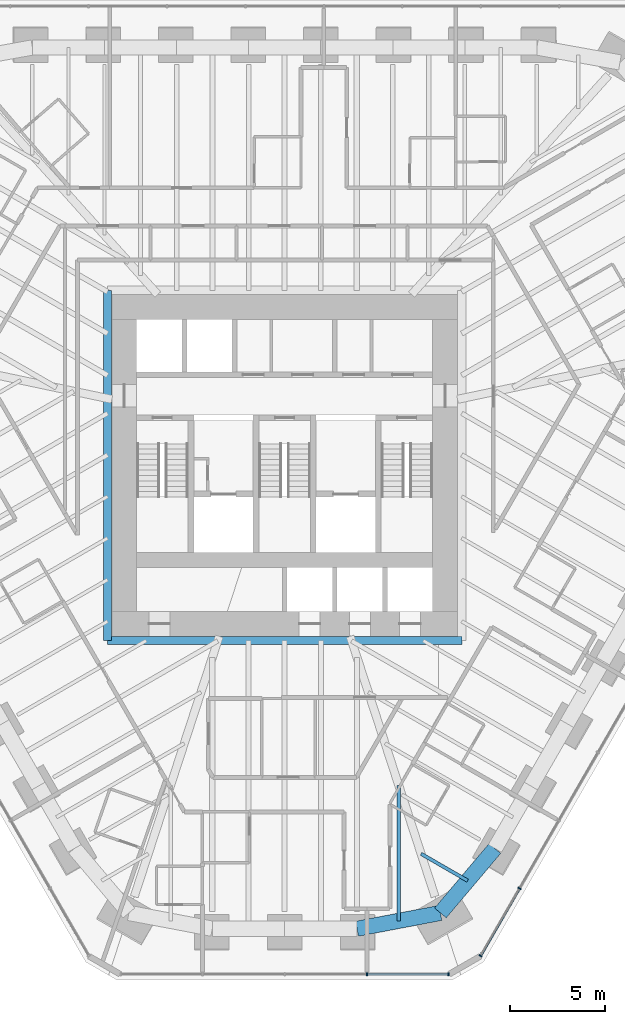
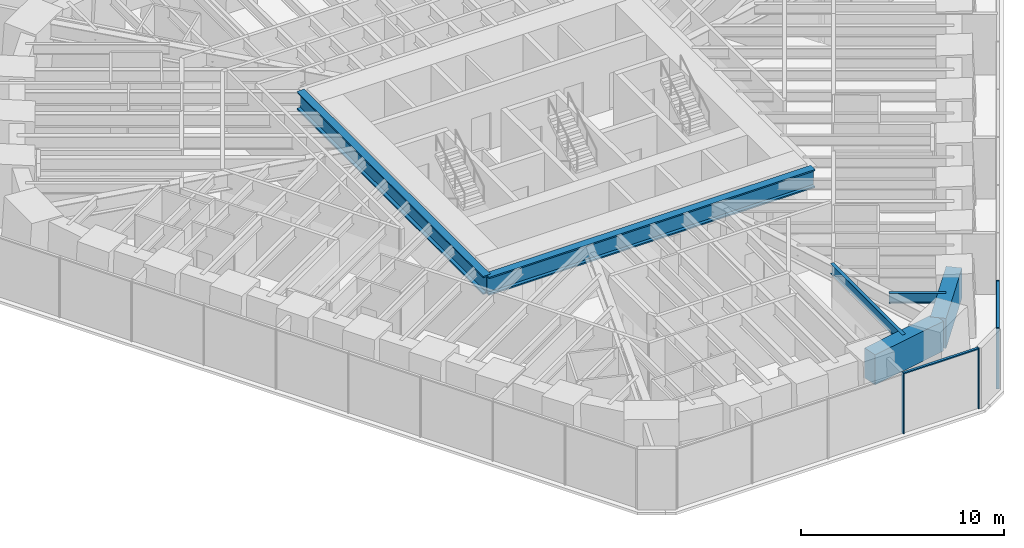
# One storey, part 4 of 17: 6 beams, 6 members, 2 elements without a shape of their own.
"""IFC4 building model written with IfcOpenShell, lengths in metres."""

from ifc_helpers import new_model, si_unit, direction, frame, origin, origin_2d, place, context, subcontext, project, spatial, rectangle, i_section, extrude, material, material_profile, profile_set, type_object, element, aggregate, save


model = new_model("IFC4")

# Units and contexts
model_context = context("Model", 3, precision=1e-05, world=origin(), true_north=direction((0.0, 1.0)))
body_context = subcontext(model_context, "Body", "Model", "MODEL_VIEW")
ifc_project = project(units=[si_unit("LENGTHUNIT", "METRE"), si_unit("AREAUNIT", "SQUARE_METRE"), si_unit("VOLUMEUNIT", "CUBIC_METRE"), si_unit("PLANEANGLEUNIT", "RADIAN"), si_unit("MASSUNIT", "GRAM", prefix="KILO")], contexts=[model_context])

# Site, building, storey
site_placement = place(None, origin())
site = spatial("IfcSite", under=ifc_project, at=site_placement, CompositionType="ELEMENT")
building_placement = place(site_placement, origin())
building = spatial("IfcBuilding", under=site, at=building_placement, Name="Sandreach Pilgrim Tower", CompositionType="ELEMENT")
storey_placement = place(building_placement, frame((0.0, 0.0, 165.199951171875)))
storey = spatial("IfcBuildingStorey", under=building, at=storey_placement, Name="L41", CompositionType="ELEMENT", Elevation=165.199951171875)

# Curtain wall, members
ifc_material_1 = material(Name="Aluminium framed curtain wall", Category="aluminium")
curtain_wall_type = type_object("IfcCurtainWallType", Name="Hotel tower curtain wall", PredefinedType="NOTDEFINED", material=ifc_material_1)
curtain_wall_1_placement = place(storey_placement, origin())
curtain_wall_1 = element("IfcCurtainWall", 1, at=curtain_wall_1_placement, inside=storey, type_object=curtain_wall_type, Name="CW-2 L41 SE", PredefinedType="NOTDEFINED")
ifc_material_2 = material(Name="Aluminium extrusion", Category="aluminium")
ifc_material_profile_1 = material_profile(ifc_material_2, rectangle(XDim=0.06494140625, YDim=0.179931640625, at=origin_2d()), Name="CW-2M 65X180")
ifc_profile_set_1 = profile_set([ifc_material_profile_1], Name="Aluminium extrusion")
member_type_1 = type_object("IfcMemberType", Name="CW-2 mullion", PredefinedType="MULLION", material=ifc_profile_set_1)
member_1_placement = place(storey_placement, frame((12.29296875, -23.695556640625, 0.0), z_axis=(0.0, 0.0, 1.0), x_axis=(-0.5, -0.866025403784, 0.0)))
member_1 = element("IfcMember", 2, at=member_1_placement, type_object=member_type_1, Name="CW-2 mullion 9", PredefinedType="MULLION", context=body_context, shape_type="SweptSolid", body=[
    extrude(rectangle(XDim=0.06494140625, YDim=0.179931640625, at=origin_2d()), origin(), (0.0, 0.0, 1.0), 3.64013671875),
])
member_2_placement = place(storey_placement, frame((10.255859375, -27.22412109375, 0.0), z_axis=(0.0, 0.0, 1.0), x_axis=(-0.5, -0.866025403784, 0.0)))
member_2 = element("IfcMember", 3, at=member_2_placement, type_object=member_type_1, Name="CW-2 mullion 10", PredefinedType="MULLION", context=body_context, shape_type="SweptSolid", body=[
    extrude(rectangle(XDim=0.06494140625, YDim=0.179931640625, at=origin_2d()), origin(), (0.0, 0.0, 1.0), 3.64013671875),
])

curtain_wall_2_placement = place(storey_placement, origin())
curtain_wall_2 = element("IfcCurtainWall", 4, at=curtain_wall_2_placement, inside=storey, type_object=curtain_wall_type, Name="CW-2 L41 S", PredefinedType="NOTDEFINED")
member_3_placement = place(storey_placement, frame((8.578857421875, -28.192138671875, 0.0), z_axis=(0.0, 0.0, 1.0), x_axis=(-1.0, 0.0, 0.0)))
member_3 = element("IfcMember", 5, at=member_3_placement, type_object=member_type_1, Name="CW-2 mullion 1", PredefinedType="MULLION", context=body_context, shape_type="SweptSolid", body=[
    extrude(rectangle(XDim=0.06494140625, YDim=0.179931640625, at=origin_2d()), origin(), (0.0, 0.0, 1.0), 3.64013671875),
])
member_4_placement = place(storey_placement, frame((4.3056640625, -28.192138671875, 0.0), z_axis=(0.0, 0.0, 1.0), x_axis=(-1.0, 0.0, 0.0)))
member_4 = element("IfcMember", 6, at=member_4_placement, type_object=member_type_1, Name="CW-2 mullion 2", PredefinedType="MULLION", context=body_context, shape_type="SweptSolid", body=[
    extrude(rectangle(XDim=0.06494140625, YDim=0.179931640625, at=origin_2d()), origin(), (0.0, 0.0, 1.0), 3.64013671875),
])

# Member
ifc_material_3 = material(Name="Aluminium extrusion", Category="aluminium")
ifc_material_profile_2 = material_profile(ifc_material_3, rectangle(XDim=0.139892578125, YDim=0.070068359375, at=origin_2d()), Name="CW-2T 140X70")
ifc_profile_set_2 = profile_set([ifc_material_profile_2], Name="Aluminium extrusion")
member_type_2 = type_object("IfcMemberType", Name="CW-2 transom", PredefinedType="USERDEFINED", material=ifc_profile_set_2)
member_5_placement = place(storey_placement, frame((12.27685546875, -23.7236328125, 3.60498046875), z_axis=(-0.500015851672, -0.866016251624, 0.0), x_axis=(0.866016251624, -0.500015851672, 0.0)))
member_5 = element("IfcMember", 7, at=member_5_placement, type_object=member_type_2, Name="CW-2 head transom 9", ObjectType="TRANSOM", PredefinedType="USERDEFINED", context=body_context, shape_type="SweptSolid", body=[
    extrude(rectangle(XDim=0.139892578125, YDim=0.070068359375, at=origin_2d()), origin(), (0.0, 0.0, 1.0), 4.009521484375),
])

aggregate(curtain_wall_1, [member_1, member_2, member_5])

member_6_placement = place(storey_placement, frame((8.54638671875, -28.192138671875, 3.60498046875), z_axis=(-1.0, 0.0, 0.0), x_axis=(0.0, -1.0, 0.0)))
member_6 = element("IfcMember", 8, at=member_6_placement, type_object=member_type_2, Name="CW-2 head transom 1", ObjectType="TRANSOM", PredefinedType="USERDEFINED", context=body_context, shape_type="SweptSolid", body=[
    extrude(rectangle(XDim=0.139892578125, YDim=0.070068359375, at=origin_2d()), origin(), (0.0, 0.0, 1.0), 4.208251953125),
])

aggregate(curtain_wall_2, [member_3, member_4, member_6])

# Beams
ifc_material_4 = material(Name="Steel ASTM A992 Grade 50", Category="steel")
ifc_material_profile_3 = material_profile(ifc_material_4, i_section(OverallWidth=0.424072265625, OverallDepth=1.09228515625, WebThickness=0.04541015625, FlangeThickness=0.08203125, at=origin_2d()), Name="W40X593")
ifc_profile_set_3 = profile_set([ifc_material_profile_3], Name="Steel ASTM A992 Grade 50")
beam_type_1 = type_object("IfcBeamType", Name="Core edge beam W40X593", PredefinedType="BEAM", material=ifc_profile_set_3)
beam_1_placement = place(storey_placement, frame((9.27197265625, -10.72216796875, 3.093994140625), z_axis=(-1.0, 0.0, 0.0), x_axis=(0.0, -1.0, 0.0)))
element("IfcBeam", 9, at=beam_1_placement, inside=storey, type_object=beam_type_1, Name="BM L41 CES", PredefinedType="BEAM", context=body_context, shape_type="SweptSolid", body=[
    extrude(i_section(OverallWidth=0.424072265625, OverallDepth=1.09228515625, WebThickness=0.04541015625, FlangeThickness=0.08203125, at=origin_2d()), origin(), (0.0, 0.0, 1.0), 18.5439453125),
])
beam_2_placement = place(storey_placement, frame((-9.27197265625, -10.72216796875, 3.093994140625), z_axis=(0.0, 1.0, 0.0), x_axis=(-1.0, 0.0, 0.0)))
element("IfcBeam", 10, at=beam_2_placement, inside=storey, type_object=beam_type_1, Name="BM L41 CEW", PredefinedType="BEAM", context=body_context, shape_type="SweptSolid", body=[
    extrude(i_section(OverallWidth=0.424072265625, OverallDepth=1.09228515625, WebThickness=0.04541015625, FlangeThickness=0.08203125, at=origin_2d()), origin(), (0.0, 0.0, 1.0), 18.34423828125),
])
ifc_material_5 = material(Name="Steel ASTM A992 Grade 50", Category="steel")
ifc_material_profile_4 = material_profile(ifc_material_5, i_section(OverallWidth=0.1787109375, OverallDepth=0.60205078125, WebThickness=0.010986328125, FlangeThickness=0.014892578125, at=origin_2d()), Name="W24X62")
ifc_profile_set_4 = profile_set([ifc_material_profile_4], Name="Steel ASTM A992 Grade 50")
beam_type_2 = type_object("IfcBeamType", Name="Floor beam W24X62", PredefinedType="BEAM", material=ifc_profile_set_4)
beam_3_placement = place(storey_placement, frame((9.5810546875, -23.292724609375, 3.339111328125), z_axis=(-0.866029550753, 0.49999281717, 0.0), x_axis=(-0.49999281717, -0.866029550753, 0.0)))
element("IfcBeam", 11, at=beam_3_placement, inside=storey, type_object=beam_type_2, Name="BM L41 FM21", PredefinedType="BEAM", context=body_context, shape_type="SweptSolid", body=[
    extrude(i_section(OverallWidth=0.1787109375, OverallDepth=0.60205078125, WebThickness=0.010986328125, FlangeThickness=0.014892578125, at=origin_2d()), origin(), (0.0, 0.0, 1.0), 2.81396484375),
])
beam_4_placement = place(storey_placement, frame((5.972412109375, -25.39501953125, 3.339111328125), z_axis=(0.0, 1.0, 0.0), x_axis=(-1.0, 0.0, 0.0)))
element("IfcBeam", 12, at=beam_4_placement, inside=storey, type_object=beam_type_2, Name="BM L41 FM22", PredefinedType="BEAM", context=body_context, shape_type="SweptSolid", body=[
    extrude(i_section(OverallWidth=0.1787109375, OverallDepth=0.60205078125, WebThickness=0.010986328125, FlangeThickness=0.014892578125, at=origin_2d()), origin(), (0.0, 0.0, 1.0), 7.098876953125),
])
ifc_material_6 = material(Name="Concrete 10000 psi", Category="concrete")
ifc_material_profile_5 = material_profile(ifc_material_6, rectangle(XDim=0.800048828125, YDim=1.800048828125, at=origin_2d()), Name="RC800X1800")
ifc_profile_set_5 = profile_set([ifc_material_profile_5], Name="Concrete 10000 psi")
beam_type_3 = type_object("IfcBeamType", Name="Spandrel beam RC800X1800", PredefinedType="SPANDREL", material=ifc_profile_set_5)
beam_5_placement = place(storey_placement, frame((11.007568359375, -21.6044921875, 2.739990234375), z_axis=(-0.645417213797, -0.763830229917, 0.0), x_axis=(0.763830229917, -0.645417213797, 0.0)))
element("IfcBeam", 13, at=beam_5_placement, inside=storey, type_object=beam_type_3, Name="BM L41 SP21", PredefinedType="SPANDREL", context=body_context, shape_type="SweptSolid", body=[
    extrude(rectangle(XDim=0.800048828125, YDim=1.800048828125, at=origin_2d()), origin(), (0.0, 0.0, 1.0), 4.42041015625),
])
beam_6_placement = place(storey_placement, frame((8.154541015625, -24.98095703125, 2.739990234375), z_axis=(-0.982469172485, -0.186425119326, 0.0), x_axis=(0.186425119326, -0.982469172485, 0.0)))
element("IfcBeam", 14, at=beam_6_placement, inside=storey, type_object=beam_type_3, Name="BM L41 SP22", PredefinedType="SPANDREL", context=body_context, shape_type="SweptSolid", body=[
    extrude(rectangle(XDim=0.800048828125, YDim=1.800048828125, at=origin_2d()), origin(), (0.0, 0.0, 1.0), 4.442138671875),
])

save(model, "model.ifc")
